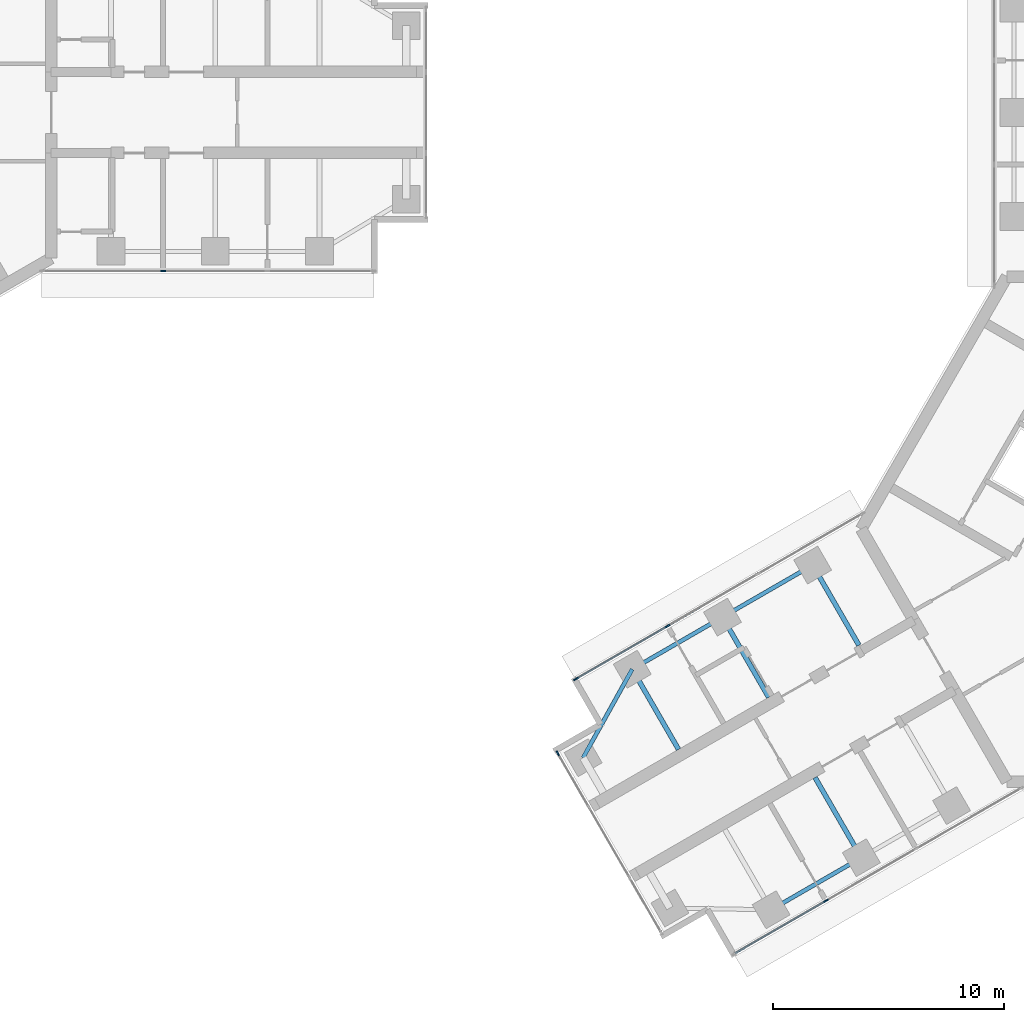
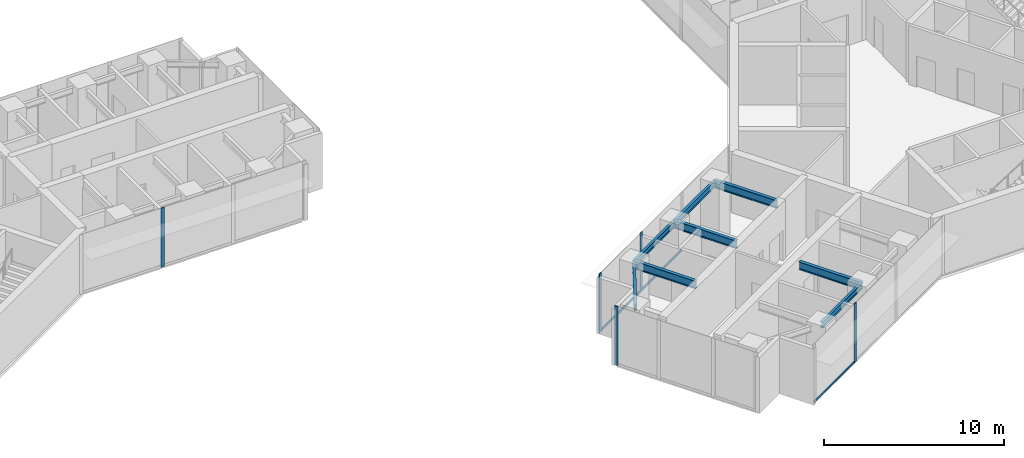
# One storey, part 3 of 17: 8 beams, 8 members, 4 elements without a shape of their own.
"""IFC4 building model written with IfcOpenShell, lengths in metres."""

import ifcopenshell
import ifcopenshell.guid

model = None  # the IFC model being written
_history = None  # IfcOwnerHistory: only IFC2X3 demands one
_inside = {}  # id of a spatial element -> (the spatial element, [elements in it])
_under = {}  # id of a project, library or spatial element -> (it, [spatial elements below it])
_declared = {}  # id of a project -> (the project, [libraries it declares])
_typed = {}  # id of a type object -> (the type object, [elements of that type])
_made_of = {}  # id of a material, layer set ... -> (it, [elements and type objects made of it])


def new_model(schema):
    """Start an empty IFC model of exactly this schema.

    Asked for "IFC4X3", IfcOpenShell would pick the latest addendum, in which some entities
    have other attributes; the version numbers below select the first issue.
    IFC2X3 requires an IfcOwnerHistory on every rooted entity: one is made here for all.
    """
    global model, _history
    if schema == "IFC4X3":
        model = ifcopenshell.file(schema_version=(4, 3, 0, 0))
    else:
        model = ifcopenshell.file(schema=schema)
    _inside.clear()
    _under.clear()
    _declared.clear()
    _typed.clear()
    _made_of.clear()
    _history = None
    if model.schema == "IFC2X3":
        org = make("IfcOrganization", Name="unknown")
        user = make(
            "IfcPersonAndOrganization",
            ThePerson=make("IfcPerson", FamilyName="unknown"),
            TheOrganization=org,
        )
        app = make(
            "IfcApplication",
            ApplicationDeveloper=org,
            Version="unknown",
            ApplicationFullName="unknown",
            ApplicationIdentifier="unknown",
        )
        _history = make(
            "IfcOwnerHistory",
            OwningUser=user,
            OwningApplication=app,
            ChangeAction="ADDED",
            CreationDate=0,
        )
    return model


def make(cls, **values):
    """One entity of the class cls with the attributes given. An attribute that is None is left unset."""
    return model.create_entity(
        cls, **{name: value for name, value in values.items() if value is not None}
    )


def rooted(cls, **values):
    """An entity with a GlobalId (a new one), such as an element, a storey or a relation."""
    return make(cls, GlobalId=ifcopenshell.guid.new(), OwnerHistory=_history, **values)


def si_unit(unit_type, name, prefix=None):
    """IfcSIUnit, for example si_unit("LENGTHUNIT", "METRE", prefix="MILLI")."""
    return make("IfcSIUnit", UnitType=unit_type, Prefix=prefix, Name=name)


def assignment(units):
    """IfcUnitAssignment: the units of a project."""
    return None if units is None else make("IfcUnitAssignment", Units=units)


def point(xyz):
    """IfcCartesianPoint."""
    return None if xyz is None else make("IfcCartesianPoint", Coordinates=xyz)


def direction(xyz):
    """IfcDirection."""
    return None if xyz is None else make("IfcDirection", DirectionRatios=xyz)


def frame(location, z_axis=None, x_axis=None):
    """IfcAxis2Placement3D, a coordinate frame: its origin and axes. An axis left out is left unset."""
    return make(
        "IfcAxis2Placement3D",
        Location=point(location),
        Axis=direction(z_axis),
        RefDirection=direction(x_axis),
    )


def frame_2d(location, x_axis=None):
    """IfcAxis2Placement2D, a coordinate frame in the plane: its origin and x axis."""
    return make(
        "IfcAxis2Placement2D", Location=point(location), RefDirection=direction(x_axis)
    )


def origin():
    """The frame at (0, 0, 0) with its axes left unset."""
    return frame((0.0, 0.0, 0.0))


def origin_2d():
    """The frame at (0, 0) in the plane with its x axis left unset."""
    return frame_2d((0.0, 0.0))


def place(relative_to, where):
    """IfcLocalPlacement: puts the frame where relative to a parent placement (None: the world)."""
    return make(
        "IfcLocalPlacement", PlacementRelTo=relative_to, RelativePlacement=where
    )


def context(
    kind, dimensions, precision=None, world=None, true_north=None, identifier=None
):
    """IfcGeometricRepresentationContext, for example the 3D "Model" context."""
    return make(
        "IfcGeometricRepresentationContext",
        ContextIdentifier=identifier,
        ContextType=kind,
        CoordinateSpaceDimension=dimensions,
        Precision=precision,
        WorldCoordinateSystem=world,
        TrueNorth=true_north,
    )


def subcontext(parent, identifier, kind, view, scale=None):
    """IfcGeometricRepresentationSubContext, for example "Body" below "Model"."""
    return make(
        "IfcGeometricRepresentationSubContext",
        ContextIdentifier=identifier,
        ContextType=kind,
        ParentContext=parent,
        TargetScale=scale,
        TargetView=view,
    )


def project(units=None, contexts=None):
    """IfcProject with its units and contexts."""
    return rooted(
        "IfcProject",
        Name="project",
        RepresentationContexts=contexts,
        UnitsInContext=assignment(units),
    )


def spatial(cls, under=None, at=None, **own):
    """A site, building, storey or space (cls), placed at a placement, below another one or the project."""
    s = rooted(cls, ObjectPlacement=at, **own)
    if under is not None:
        _under.setdefault(under.id(), (under, []))[1].append(s)
    return s


def profile(cls, at=None, kind="AREA", **sizes):
    """A parametric profile (cls). Its sizes go by their IFC names, for example OverallWidth=200.0."""
    return make(cls, ProfileType=kind, Position=at, **sizes)


def rectangle(**sizes):
    """IfcRectangleProfileDef."""
    return profile("IfcRectangleProfileDef", **sizes)


def i_section(**sizes):
    """IfcIShapeProfileDef."""
    return profile("IfcIShapeProfileDef", **sizes)


def extrude(swept, where, along, depth):
    """IfcExtrudedAreaSolid: the profile swept, set in the frame where, extruded along a direction by depth."""
    return make(
        "IfcExtrudedAreaSolid",
        SweptArea=swept,
        Position=where,
        ExtrudedDirection=direction(along),
        Depth=depth,
    )


def shape(context_of_items, identifier, shape_type, items):
    """IfcShapeRepresentation: the items that make up one representation, for example the "Body"."""
    return make(
        "IfcShapeRepresentation",
        ContextOfItems=context_of_items,
        RepresentationIdentifier=identifier,
        RepresentationType=shape_type,
        Items=items,
    )


def material(Name=None, Category=None):
    """IfcMaterial."""
    return make("IfcMaterial", Name=Name, Category=Category)


def material_profile(
    of_material, cross_section, Name=None, Category=None, Priority=None
):
    """IfcMaterialProfile: a cross section and its material."""
    return make(
        "IfcMaterialProfile",
        Name=Name,
        Material=of_material,
        Profile=cross_section,
        Priority=Priority,
        Category=Category,
    )


def profile_set(profiles, Name=None, composite=None):
    """IfcMaterialProfileSet."""
    return make(
        "IfcMaterialProfileSet",
        Name=Name,
        MaterialProfiles=profiles,
        CompositeProfile=composite,
    )


def made_of(thing, what):
    """Note that an element or type object is made of a material, layer set ...; save() writes the relation."""
    if what is not None:
        _made_of.setdefault(what.id(), (what, []))[1].append(thing)
    return thing


def type_object(cls, material=None, **own):
    """A type object (cls), such as IfcWallType, which elements share."""
    return made_of(rooted(cls, **own), material)


def element(
    cls,
    number,
    at=None,
    inside=None,
    cuts=None,
    type_object=None,
    material=None,
    context=None,
    identifier="Body",
    shape_type=None,
    held_by="IfcProductDefinitionShape",
    body=None,
    shapes=None,
    **own,
):
    """One element of the class cls, such as IfcWall. Its Tag is "e" and its number.

    at: its placement. inside: the storey or other place that contains it. cuts: it is an
    opening in that element (IfcRelVoidsElement). A single representation is given by context,
    identifier, shape_type and body (its items); several are given by shapes. held_by: the class
    of the entity that holds the representations. save() writes the other relations.
    """
    e = rooted(cls, Tag="e%d" % number, ObjectPlacement=at, **own)
    if body is not None:
        shapes = [shape(context, identifier, shape_type, body)]
    if shapes is not None:
        e.Representation = make(held_by, Representations=shapes)
    if inside is not None:
        _inside.setdefault(inside.id(), (inside, []))[1].append(e)
    if cuts is not None:
        rooted(
            "IfcRelVoidsElement", RelatingBuildingElement=cuts, RelatedOpeningElement=e
        )
    if type_object is not None:
        _typed.setdefault(type_object.id(), (type_object, []))[1].append(e)
    return made_of(e, material)


def aggregate(whole, parts):
    """IfcRelAggregates: a whole, such as a stair, and the parts it consists of."""
    return rooted("IfcRelAggregates", RelatingObject=whole, RelatedObjects=parts)


def save(model, path):
    """Write the relations noted so far, then the file.

    IfcRelAggregates (storeys below a building ...), IfcRelContainedInSpatialStructure (elements
    in a storey), IfcRelDefinesByType, IfcRelAssociatesMaterial and IfcRelDeclares: one each for
    every whole, place, type object, material and project.
    """
    for whole, parts in _under.values():
        aggregate(whole, parts)
    for where, things in _inside.values():
        rooted(
            "IfcRelContainedInSpatialStructure",
            RelatedElements=things,
            RelatingStructure=where,
        )
    for kind, things in _typed.values():
        rooted("IfcRelDefinesByType", RelatedObjects=things, RelatingType=kind)
    for what, things in _made_of.values():
        rooted("IfcRelAssociatesMaterial", RelatedObjects=things, RelatingMaterial=what)
    for by, libraries in _declared.values():
        rooted("IfcRelDeclares", RelatingContext=by, RelatedDefinitions=libraries)
    model.write(path)


model = new_model("IFC4")

# Units and contexts
model_context = context("Model", 3, precision=1e-05, world=origin(), true_north=direction((0.0, 1.0)))
body_context = subcontext(model_context, "Body", "Model", "MODEL_VIEW")
ifc_project = project(units=[si_unit("LENGTHUNIT", "METRE"), si_unit("AREAUNIT", "SQUARE_METRE"), si_unit("VOLUMEUNIT", "CUBIC_METRE"), si_unit("PLANEANGLEUNIT", "RADIAN"), si_unit("MASSUNIT", "GRAM", prefix="KILO")], contexts=[model_context])

# Site, building, storey
site_placement = place(None, origin())
site = spatial("IfcSite", under=ifc_project, at=site_placement, CompositionType="ELEMENT")
building_placement = place(site_placement, origin())
building = spatial("IfcBuilding", under=site, at=building_placement, Name="Upepo Twin Towers", CompositionType="ELEMENT")
storey_placement = place(building_placement, frame((0.0, 0.0, 190.5)))
storey = spatial("IfcBuildingStorey", under=building, at=storey_placement, Name="L46", CompositionType="ELEMENT", Elevation=190.5)

# Beams
ifc_material_1 = material(Name="Steel S355", Category="steel")
ifc_material_profile_1 = material_profile(ifc_material_1, i_section(OverallWidth=0.177978515625, OverallDepth=0.406494140625, WebThickness=0.0078125, FlangeThickness=0.0126953125, FilletRadius=0.01025390625, at=origin_2d()), Name="UB 406x178x60")
ifc_profile_set_1 = profile_set([ifc_material_profile_1], Name="Steel S355")
beam_type_1 = type_object("IfcBeamType", Name="Beam UB 406x178x60", PredefinedType="BEAM", material=ifc_profile_set_1)
beam_1_placement = place(storey_placement, frame((45.91162109375, -32.196044921875, 3.5966796875), z_axis=(-0.866031096941, -0.499990139034, 0.0), x_axis=(0.499990139034, -0.866031096941, 0.0)))
element("IfcBeam", 1, at=beam_1_placement, inside=storey, type_object=beam_type_1, Name="T2 edge beam BL 18.0-22.5", PredefinedType="BEAM", context=body_context, shape_type="SweptSolid", body=[
    extrude(i_section(OverallWidth=0.177978515625, OverallDepth=0.406494140625, WebThickness=0.0078125, FlangeThickness=0.0126953125, FilletRadius=0.01025390625, at=origin_2d()), origin(), (0.0, 0.0, 1.0), 4.5),
])
beam_2_placement = place(storey_placement, frame((43.80859375, -19.553955078125, 3.5966796875), z_axis=(-0.866017533419, -0.500013631625, 0.0), x_axis=(0.500013631625, -0.866017533419, 0.0)))
element("IfcBeam", 2, at=beam_2_placement, inside=storey, type_object=beam_type_1, Name="T2 edge beam BR 13.5-18.0", PredefinedType="BEAM", context=body_context, shape_type="SweptSolid", body=[
    extrude(i_section(OverallWidth=0.177978515625, OverallDepth=0.406494140625, WebThickness=0.0078125, FlangeThickness=0.0126953125, FilletRadius=0.01025390625, at=origin_2d()), origin(), (0.0, 0.0, 1.0), 4.499755859375),
])
beam_3_placement = place(storey_placement, frame((39.91162109375, -21.803955078125, 3.5966796875), z_axis=(-0.866031096941, -0.499990139034, 0.0), x_axis=(0.499990139034, -0.866031096941, 0.0)))
element("IfcBeam", 3, at=beam_3_placement, inside=storey, type_object=beam_type_1, Name="T2 edge beam BR 18.0-22.5", PredefinedType="BEAM", context=body_context, shape_type="SweptSolid", body=[
    extrude(i_section(OverallWidth=0.177978515625, OverallDepth=0.406494140625, WebThickness=0.0078125, FlangeThickness=0.0126953125, FilletRadius=0.01025390625, at=origin_2d()), origin(), (0.0, 0.0, 1.0), 4.5),
])
beam_4_placement = place(storey_placement, frame((36.014404296875, -24.053955078125, 3.5966796875), z_axis=(-0.485363242752, -0.874312600038, 0.0), x_axis=(0.874312600038, -0.485363242752, 0.0)))
element("IfcBeam", 4, at=beam_4_placement, inside=storey, type_object=beam_type_1, Name="T2 nose edge beam BR", PredefinedType="BEAM", context=body_context, shape_type="SweptSolid", body=[
    extrude(i_section(OverallWidth=0.177978515625, OverallDepth=0.406494140625, WebThickness=0.0078125, FlangeThickness=0.0126953125, FilletRadius=0.01025390625, at=origin_2d()), origin(), (0.0, 0.0, 1.0), 4.373046875),
])
ifc_material_2 = material(Name="Steel S355", Category="steel")
ifc_material_profile_2 = material_profile(ifc_material_2, i_section(OverallWidth=0.209228515625, OverallDepth=0.533203125, WebThickness=0.010009765625, FlangeThickness=0.015625, FilletRadius=0.0126953125, at=origin_2d()), Name="UB 533x210x92")
ifc_profile_set_2 = profile_set([ifc_material_profile_2], Name="Steel S355")
beam_type_2 = type_object("IfcBeamType", Name="Beam UB 533x210x92", PredefinedType="BEAM", material=ifc_profile_set_2)
for number, where, z_axis, x_axis, name in (
    (5, (45.91162109375, -32.196044921875, 3.533447265625), (-0.49999894854, 0.866026010844, 0.0), (-0.866026010844, -0.49999894854, 0.0), "T2 girder BL at 18.0"),
    (6, (43.80859375, -19.553955078125, 3.533447265625), (0.49999894854, -0.866026010844, 0.0), (0.866026010844, 0.49999894854, 0.0), "T2 girder BR at 13.5"),
    (7, (39.91162109375, -21.803955078125, 3.533447265625), (0.49999894854, -0.866026010844, 0.0), (0.866026010844, 0.49999894854, 0.0), "T2 girder BR at 18.0"),
    (8, (36.014404296875, -24.053955078125, 3.533447265625), (0.49999894854, -0.866026010844, 0.0), (0.866026010844, 0.49999894854, 0.0), "T2 girder BR at 22.5"),
):
    element("IfcBeam", number, at=place(storey_placement, frame(where, z_axis=z_axis, x_axis=x_axis)), inside=storey, type_object=beam_type_2, Name=name, PredefinedType="BEAM", context=body_context, shape_type="SweptSolid", body=[
        extrude(i_section(OverallWidth=0.209228515625, OverallDepth=0.533203125, WebThickness=0.010009765625, FlangeThickness=0.015625, FilletRadius=0.0126953125, at=origin_2d()), origin(), (0.0, 0.0, 1.0), 4.0),
    ])

# Curtain wall, member
ifc_material_3 = material(Name="Aluminium and fritted glass", Category="aluminium")
curtain_wall_type = type_object("IfcCurtainWallType", Name="Tower curtain wall TW3, fritted glass", PredefinedType="NOTDEFINED", material=ifc_material_3)
curtain_wall_1_placement = place(storey_placement, origin())
curtain_wall_1 = element("IfcCurtainWall", 9, at=curtain_wall_1_placement, inside=storey, type_object=curtain_wall_type, Name="T1 L46 wing A flank R curtain wall", PredefinedType="NOTDEFINED")
ifc_material_4 = material(Name="Aluminium mullion", Category="aluminium")
ifc_material_profile_3 = material_profile(ifc_material_4, rectangle(XDim=0.06494140625, YDim=0.22509765625, at=origin_2d()), Name="MULLION 65x225")
ifc_profile_set_3 = profile_set([ifc_material_profile_3], Name="Aluminium mullion")
member_type_1 = type_object("IfcMemberType", Name="Mullion 65x225 TW3", PredefinedType="MULLION", material=ifc_profile_set_3)
member_1_placement = place(storey_placement, frame((15.75, -6.85009765625, 0.0), z_axis=(0.0, 0.0, 1.0), x_axis=(0.0, -1.0, 0.0)))
member_1 = element("IfcMember", 10, at=member_1_placement, type_object=member_type_1, Name="T1 L46 wing A flank R curtain wall mullion 3", PredefinedType="MULLION", context=body_context, shape_type="SweptSolid", body=[
    extrude(rectangle(XDim=0.06494140625, YDim=0.22509765625, at=origin_2d()), origin(), (0.0, 0.0, 1.0), 4.0),
])
aggregate(curtain_wall_1, [member_1])

curtain_wall_2_placement = place(storey_placement, origin())
curtain_wall_2 = element("IfcCurtainWall", 11, at=curtain_wall_2_placement, inside=storey, type_object=curtain_wall_type, Name="T2 L46 wing B flank L curtain wall", PredefinedType="NOTDEFINED")
member_2_placement = place(storey_placement, frame((44.387939453125, -34.057373046875, 0.0), z_axis=(0.0, 0.0, 1.0), x_axis=(0.500000026527, -0.866025388469, 0.0)))
member_2 = element("IfcMember", 12, at=member_2_placement, type_object=member_type_1, Name="T2 L46 wing B flank L curtain wall mullion 3", PredefinedType="MULLION", context=body_context, shape_type="SweptSolid", body=[
    extrude(rectangle(XDim=0.06494140625, YDim=0.22509765625, at=origin_2d()), origin(), (0.0, 0.0, 1.0), 4.0),
])

# Curtain wall, members
curtain_wall_3_placement = place(storey_placement, origin())
curtain_wall_3 = element("IfcCurtainWall", 13, at=curtain_wall_3_placement, inside=storey, type_object=curtain_wall_type, Name="T2 L46 wing B flank R curtain wall", PredefinedType="NOTDEFINED")
member_3_placement = place(storey_placement, frame((33.58251953125, -24.4765625, 0.0), z_axis=(0.0, 0.0, 1.0), x_axis=(-0.500000026527, 0.866025388469, 0.0)))
member_3 = element("IfcMember", 14, at=member_3_placement, type_object=member_type_1, Name="T2 L46 wing B flank R curtain wall mullion 1", PredefinedType="MULLION", context=body_context, shape_type="SweptSolid", body=[
    extrude(rectangle(XDim=0.06494140625, YDim=0.22509765625, at=origin_2d()), origin(), (0.0, 0.0, 1.0), 4.0),
])
member_4_placement = place(storey_placement, frame((37.5380859375, -22.192626953125, 0.0), z_axis=(0.0, 0.0, 1.0), x_axis=(-0.500000026527, 0.866025388469, 0.0)))
member_4 = element("IfcMember", 15, at=member_4_placement, type_object=member_type_1, Name="T2 L46 wing B flank R curtain wall mullion 2", PredefinedType="MULLION", context=body_context, shape_type="SweptSolid", body=[
    extrude(rectangle(XDim=0.06494140625, YDim=0.22509765625, at=origin_2d()), origin(), (0.0, 0.0, 1.0), 4.0),
])

# Curtain wall, member
curtain_wall_4_placement = place(storey_placement, origin())
curtain_wall_4 = element("IfcCurtainWall", 16, at=curtain_wall_4_placement, inside=storey, type_object=curtain_wall_type, Name="T2 L46 wing B nose curtain wall", PredefinedType="NOTDEFINED")
member_5_placement = place(storey_placement, frame((32.796875, -27.68115234375, 0.0), z_axis=(0.0, 0.0, 1.0), x_axis=(0.866025386174, 0.500000030502, 0.0)))
member_5 = element("IfcMember", 17, at=member_5_placement, type_object=member_type_1, Name="T2 L46 wing B nose curtain wall mullion 1", PredefinedType="MULLION", context=body_context, shape_type="SweptSolid", body=[
    extrude(rectangle(XDim=0.06494140625, YDim=0.22509765625, at=origin_2d()), origin(), (0.0, 0.0, 1.0), 4.0),
])
aggregate(curtain_wall_4, [member_5])

# Member
ifc_material_5 = material(Name="Aluminium transom", Category="aluminium")
ifc_material_profile_4 = material_profile(ifc_material_5, rectangle(XDim=0.06494140625, YDim=0.14990234375, at=origin_2d()), Name="TRANSOM 65x150")
ifc_profile_set_4 = profile_set([ifc_material_profile_4], Name="Aluminium transom")
member_type_2 = type_object("IfcMemberType", Name="Transom 65x150 TW3", PredefinedType="USERDEFINED", material=ifc_profile_set_4)
member_6_placement = place(storey_placement, frame((44.35986328125, -34.073486328125, 0.074951171875), z_axis=(-0.866035699072, -0.499982167615, 0.0), x_axis=(0.499982167615, -0.866035699072, 0.0)))
member_6 = element("IfcMember", 18, at=member_6_placement, type_object=member_type_2, Name="T2 L46 wing B flank L curtain wall transom 3", ObjectType="TRANSOM", PredefinedType="USERDEFINED", context=body_context, shape_type="SweptSolid", body=[
    extrude(rectangle(XDim=0.06494140625, YDim=0.14990234375, at=origin_2d()), origin(), (0.0, 0.0, 1.0), 4.502685546875),
])

aggregate(curtain_wall_2, [member_2, member_6])

member_7_placement = place(storey_placement, frame((33.610595703125, -24.460205078125, 0.074951171875), z_axis=(0.866022143554, 0.500005646842, 0.0), x_axis=(-0.500005646842, 0.866022143554, 0.0)))
member_7 = element("IfcMember", 19, at=member_7_placement, type_object=member_type_2, Name="T2 L46 wing B flank R curtain wall transom 1", ObjectType="TRANSOM", PredefinedType="USERDEFINED", context=body_context, shape_type="SweptSolid", body=[
    extrude(rectangle(XDim=0.06494140625, YDim=0.14990234375, at=origin_2d()), origin(), (0.0, 0.0, 1.0), 4.50244140625),
])

member_8_placement = place(storey_placement, frame((37.566162109375, -22.176513671875, 0.074951171875), z_axis=(0.866022410713, 0.500005184116, 0.0), x_axis=(-0.500005184116, 0.866022410713, 0.0)))
member_8 = element("IfcMember", 20, at=member_8_placement, type_object=member_type_2, Name="T2 L46 wing B flank R curtain wall transom 2", ObjectType="TRANSOM", PredefinedType="USERDEFINED", context=body_context, shape_type="SweptSolid", body=[
    extrude(rectangle(XDim=0.06494140625, YDim=0.14990234375, at=origin_2d()), origin(), (0.0, 0.0, 1.0), 4.43505859375),
])

aggregate(curtain_wall_3, [member_3, member_4, member_7, member_8])

save(model, "model.ifc")
